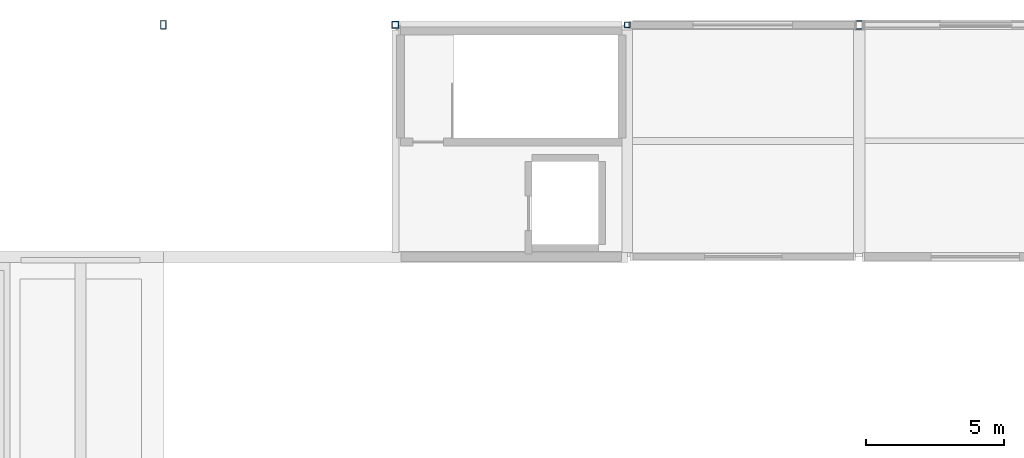
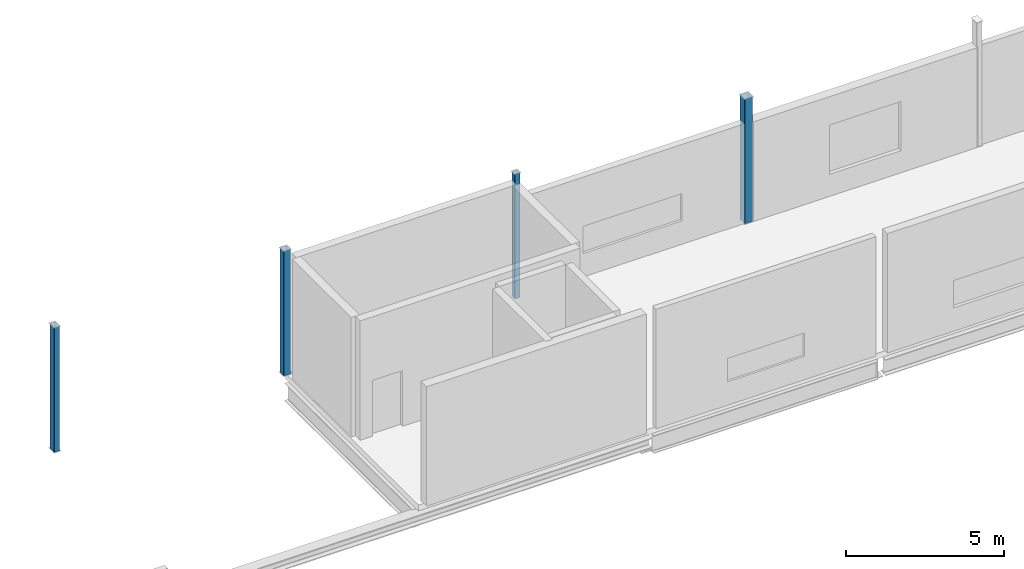
# One storey, part 2 of 27: 4 columns.
"""IFC4 building model written with IfcOpenShell, lengths in metres."""

from ifc_helpers import new_model, si_unit, direction, frame, origin, origin_2d, place, context, subcontext, project, spatial, hollow_rectangle, extrude, material, material_profile, profile_set, type_object, element, save


model = new_model("IFC4")

# Units and contexts
model_context = context("Model", 3, precision=1e-05, world=origin(), true_north=direction((0.0, 1.0)))
body_context = subcontext(model_context, "Body", "Model", "MODEL_VIEW")
ifc_project = project(units=[si_unit("LENGTHUNIT", "METRE"), si_unit("AREAUNIT", "SQUARE_METRE"), si_unit("VOLUMEUNIT", "CUBIC_METRE"), si_unit("PLANEANGLEUNIT", "RADIAN"), si_unit("MASSUNIT", "GRAM", prefix="KILO")], contexts=[model_context])

# Site, building, storey
site_placement = place(None, origin())
site = spatial("IfcSite", under=ifc_project, at=site_placement, CompositionType="ELEMENT")
building_placement = place(site_placement, origin())
building = spatial("IfcBuilding", under=site, at=building_placement, Name="Calvrana Isthmian Art Gallery", CompositionType="ELEMENT")
storey_placement = place(building_placement, frame((0.0, 0.0, 24.60009765625)))
storey = spatial("IfcBuildingStorey", under=building, at=storey_placement, Name="L05", CompositionType="ELEMENT", Elevation=24.60009765625)

# Columns
ifc_material = material(Name="Steel ASTM A500 Gr C", Category="steel")
ifc_material_profile_1 = material_profile(ifc_material, hollow_rectangle(XDim=0.203125, YDim=0.203125, WallThickness=0.0126953125, OuterFilletRadius=0.02490234375, at=origin_2d()), Name="HSS203X203X12.7")
ifc_profile_set_1 = profile_set([ifc_material_profile_1], Name="Steel ASTM A500 Gr C")
column_type_1 = type_object("IfcColumnType", Name="COL-STL-HSS203X203X12.7", PredefinedType="COLUMN", material=ifc_profile_set_1)
column_1_placement = place(storey_placement, frame((38.39990234375, 46.800048828125, 0.0), z_axis=(0.0, 0.0, 1.0), x_axis=(1.0, 0.0, 0.0)))
element("IfcColumn", 1, at=column_1_placement, inside=storey, type_object=column_type_1, Name="Column 06/G L05", PredefinedType="COLUMN", context=body_context, shape_type="SweptSolid", body=[
    extrude(hollow_rectangle(XDim=0.203125, YDim=0.203125, WallThickness=0.0126953125, OuterFilletRadius=0.02490234375, at=origin_2d()), origin(), (0.0, 0.0, 1.0), 4.7998046875),
])
ifc_material_profile_2 = material_profile(ifc_material, hollow_rectangle(XDim=0.25390625, YDim=0.25390625, WallThickness=0.0126953125, OuterFilletRadius=0.02490234375, at=origin_2d()), Name="HSS254X254X12.7")
ifc_profile_set_2 = profile_set([ifc_material_profile_2], Name="Steel ASTM A500 Gr C")
column_type_2 = type_object("IfcColumnType", Name="COL-STL-HSS254X254X12.7", PredefinedType="COLUMN", material=ifc_profile_set_2)
column_2_placement = place(storey_placement, frame((30.0, 46.800048828125, 0.0), z_axis=(0.0, 0.0, 1.0), x_axis=(1.0, 0.0, 0.0)))
element("IfcColumn", 2, at=column_2_placement, inside=storey, type_object=column_type_2, Name="Column 05/G L05", PredefinedType="COLUMN", context=body_context, shape_type="SweptSolid", body=[
    extrude(hollow_rectangle(XDim=0.25390625, YDim=0.25390625, WallThickness=0.0126953125, OuterFilletRadius=0.02490234375, at=origin_2d()), origin(), (0.0, 0.0, 1.0), 4.7998046875),
])
ifc_material_profile_3 = material_profile(ifc_material, hollow_rectangle(XDim=0.203125, YDim=0.3046875, WallThickness=0.0126953125, OuterFilletRadius=0.02490234375, at=origin_2d()), Name="HSS305X203X12.7")
ifc_profile_set_3 = profile_set([ifc_material_profile_3], Name="Steel ASTM A500 Gr C")
column_type_3 = type_object("IfcColumnType", Name="COL-STL-HSS305X203X12.7", PredefinedType="COLUMN", material=ifc_profile_set_3)
column_3_placement = place(storey_placement, frame((21.60009765625, 46.800048828125, 0.0), z_axis=(0.0, 0.0, 1.0), x_axis=(1.0, 0.0, 0.0)))
element("IfcColumn", 3, at=column_3_placement, inside=storey, type_object=column_type_3, Name="Column 04/G L05", PredefinedType="COLUMN", context=body_context, shape_type="SweptSolid", body=[
    extrude(hollow_rectangle(XDim=0.203125, YDim=0.3046875, WallThickness=0.0126953125, OuterFilletRadius=0.02490234375, at=origin_2d()), origin(), (0.0, 0.0, 1.0), 4.7998046875),
])
ifc_material_profile_4 = material_profile(ifc_material, hollow_rectangle(XDim=0.3046875, YDim=0.3046875, WallThickness=0.015869140625, OuterFilletRadius=0.031982421875, at=origin_2d()), Name="HSS305X305X15.9")
ifc_profile_set_4 = profile_set([ifc_material_profile_4], Name="Steel ASTM A500 Gr C")
column_type_4 = type_object("IfcColumnType", Name="COL-STL-HSS305X305X15.9", PredefinedType="COLUMN", material=ifc_profile_set_4)
column_4_placement = place(storey_placement, frame((46.800048828125, 46.800048828125, 0.0), z_axis=(0.0, 0.0, 1.0), x_axis=(1.0, 0.0, 0.0)))
element("IfcColumn", 4, at=column_4_placement, inside=storey, type_object=column_type_4, Name="Column 07/G L05", PredefinedType="COLUMN", context=body_context, shape_type="SweptSolid", body=[
    extrude(hollow_rectangle(XDim=0.3046875, YDim=0.3046875, WallThickness=0.015869140625, OuterFilletRadius=0.031982421875, at=origin_2d()), origin(), (0.0, 0.0, 1.0), 4.7998046875),
])

save(model, "model.ifc")
